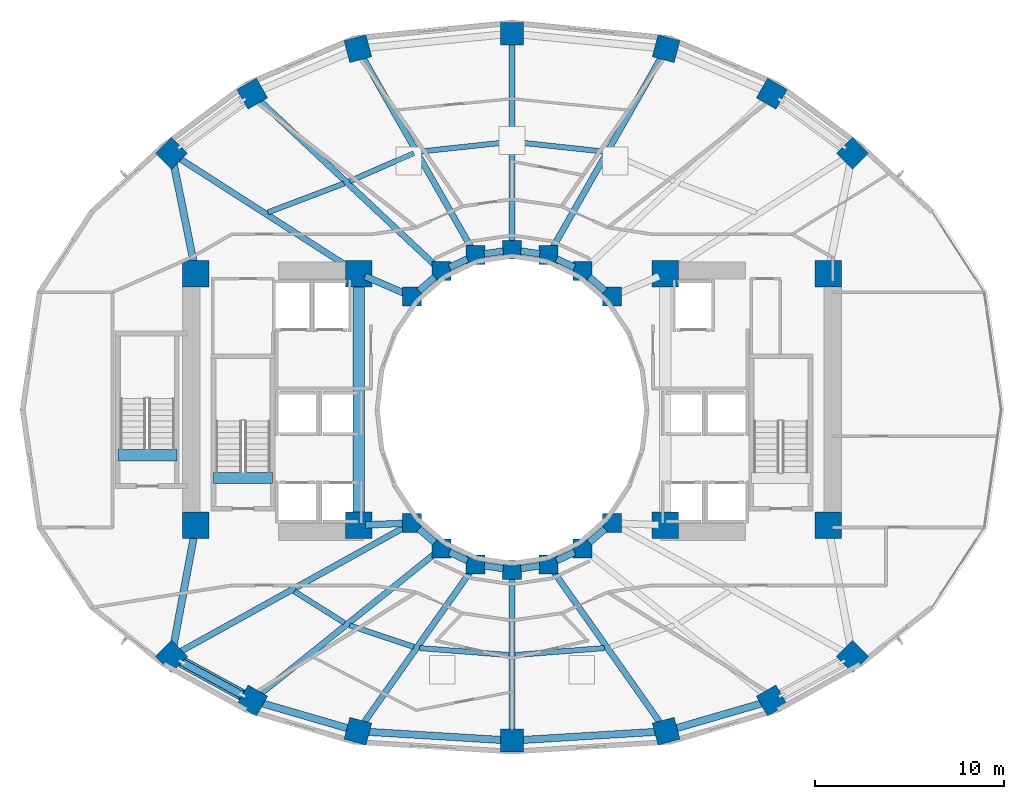
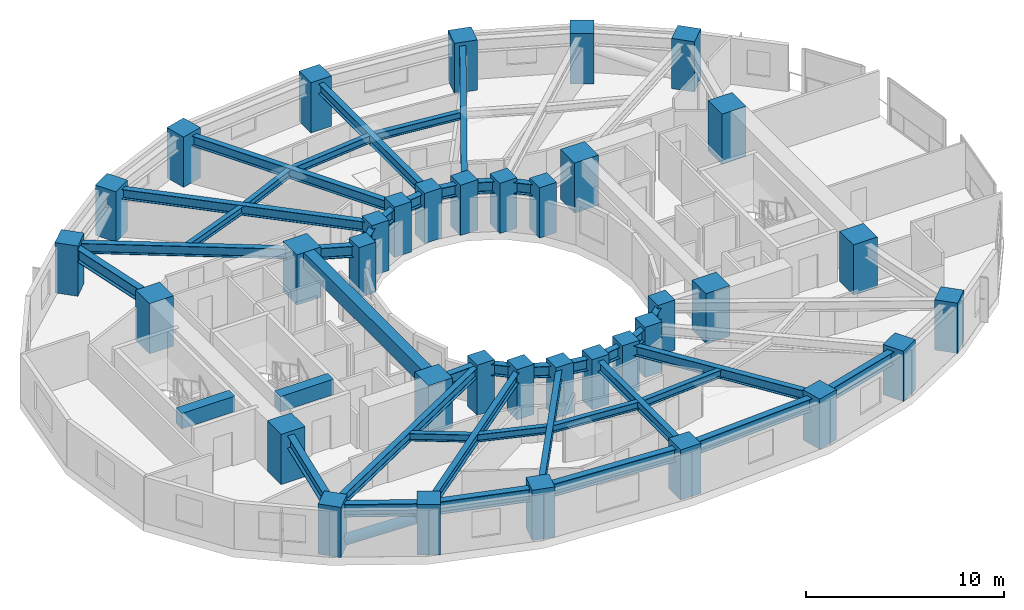
# One storey, part 1 of 14: 42 beams, 36 columns, 1 member.
"""IFC4 building model written with IfcOpenShell, lengths in metres."""

from ifc_helpers import new_model, si_unit, direction, frame, origin, origin_2d, place, context, subcontext, project, spatial, rectangle, hollow_circle, i_section, extrude, material, material_profile, profile_set, type_object, element, save


model = new_model("IFC4")

# Units and contexts
model_context = context("Model", 3, precision=1e-05, world=origin(), true_north=direction((0.0, 1.0)))
body_context = subcontext(model_context, "Body", "Model", "MODEL_VIEW")
ifc_project = project(units=[si_unit("LENGTHUNIT", "METRE"), si_unit("AREAUNIT", "SQUARE_METRE"), si_unit("VOLUMEUNIT", "CUBIC_METRE"), si_unit("PLANEANGLEUNIT", "RADIAN"), si_unit("MASSUNIT", "GRAM", prefix="KILO")], contexts=[model_context])

# Site, building, storey
site_placement = place(None, origin())
site = spatial("IfcSite", under=ifc_project, at=site_placement, CompositionType="ELEMENT")
building_placement = place(site_placement, origin())
building = spatial("IfcBuilding", under=site, at=building_placement, Name="Solvane Sanctuary Tower", CompositionType="ELEMENT")
storey_placement = place(building_placement, frame((0.0, 0.0, 36.89990234375)))
storey = spatial("IfcBuildingStorey", under=building, at=storey_placement, Name="L10", CompositionType="ELEMENT", Elevation=36.89990234375)

# Columns
ifc_material_1 = material(Name="Concrete C70/85", Category="concrete")
ifc_material_profile_1 = material_profile(ifc_material_1, rectangle(XDim=1.39990234375, YDim=1.39990234375, at=origin_2d()), Name="RC1400X1400")
ifc_profile_set_1 = profile_set([ifc_material_profile_1], Name="Concrete C70/85")
column_type_1 = type_object("IfcColumnType", Name="Column C-POD-INT RC1400X1400", PredefinedType="COLUMN", material=ifc_profile_set_1)
for number, where, z_axis, x_axis, name in (
    (1, (15.300048828125, 16.89990234375, 0.0), (0.0, 0.0, 1.0), (1.0, 0.0, 0.0), "L10 Core Corner Column CW1"),
    (2, (23.89990234375, 16.89990234375, 0.0), (0.0, 0.0, 1.0), (1.0, 0.0, 0.0), "L10 Core Corner Column CW2"),
    (3, (23.89990234375, 30.199951171875, 0.0), (0.0, 0.0, 1.0), (1.0, 0.0, 0.0), "L10 Core Corner Column CW3"),
    (4, (15.300048828125, 30.199951171875, 0.0), (0.0, 0.0, 1.0), (1.0, 0.0, 0.0), "L10 Core Corner Column CW4"),
    (5, (40.10009765625, 16.89990234375, 0.0), (0.0, 0.0, 1.0), (1.0, 0.0, 0.0), "L10 Core Corner Column CE1"),
    (6, (48.699951171875, 16.89990234375, 0.0), (0.0, 0.0, 1.0), (1.0, 0.0, 0.0), "L10 Core Corner Column CE2"),
    (7, (48.699951171875, 30.199951171875, 0.0), (0.0, 0.0, 1.0), (1.0, 0.0, 0.0), "L10 Core Corner Column CE3"),
    (8, (40.10009765625, 30.199951171875, 0.0), (0.0, 0.0, 1.0), (1.0, 0.0, 0.0), "L10 Core Corner Column CE4"),
):
    element("IfcColumn", number, at=place(storey_placement, frame(where, z_axis=z_axis, x_axis=x_axis)), inside=storey, type_object=column_type_1, Name=name, PredefinedType="COLUMN", context=body_context, shape_type="SweptSolid", body=[
        extrude(rectangle(XDim=1.39990234375, YDim=1.39990234375, at=origin_2d()), origin(), (0.0, 0.0, 1.0), 3.10009765625),
    ])
ifc_material_profile_2 = material_profile(ifc_material_1, rectangle(XDim=1.0, YDim=1.0, at=origin_2d()), Name="RC1000X1000")
ifc_profile_set_2 = profile_set([ifc_material_profile_2], Name="Concrete C70/85")
column_type_2 = type_object("IfcColumnType", Name="Column C-RING-Z1 RC1000X1000", PredefinedType="COLUMN", material=ifc_profile_set_2)
for number, where, z_axis, x_axis, name in (
    (9, (37.27490234375, 28.982177734375, 0.0), (0.0, 0.0, 1.0), (1.0, 0.0, 0.0), "L10 Inner Light-Well Ring Column IC01"),
    (10, (35.72998046875, 30.32666015625, 0.0), (0.0, 0.0, 1.0), (1.0, 0.0, 0.0), "L10 Inner Light-Well Ring Column IC02"),
    (11, (33.930908203125, 31.171630859375, 0.0), (0.0, 0.0, 1.0), (1.0, 0.0, 0.0), "L10 Inner Light-Well Ring Column IC03"),
    (12, (32.0, 31.4599609375, 0.0), (0.0, 0.0, 1.0), (1.0, 0.0, 0.0), "L10 Inner Light-Well Ring Column IC04"),
    (13, (30.069091796875, 31.171630859375, 0.0), (0.0, 0.0, 1.0), (1.0, 0.0, 0.0), "L10 Inner Light-Well Ring Column IC05"),
    (14, (28.27001953125, 30.32666015625, 0.0), (0.0, 0.0, 1.0), (1.0, 0.0, 0.0), "L10 Inner Light-Well Ring Column IC06"),
    (15, (26.72509765625, 28.982177734375, 0.0), (0.0, 0.0, 1.0), (1.0, 0.0, 0.0), "L10 Inner Light-Well Ring Column IC07"),
    (16, (26.72509765625, 17.017822265625, 0.0), (0.0, 0.0, 1.0), (1.0, 0.0, 0.0), "L10 Inner Light-Well Ring Column IC08"),
    (17, (28.27001953125, 15.67333984375, 0.0), (0.0, 0.0, 1.0), (1.0, 0.0, 0.0), "L10 Inner Light-Well Ring Column IC09"),
    (18, (30.069091796875, 14.828369140625, 0.0), (0.0, 0.0, 1.0), (1.0, 0.0, 0.0), "L10 Inner Light-Well Ring Column IC10"),
    (19, (32.0, 14.5400390625, 0.0), (0.0, 0.0, 1.0), (1.0, 0.0, 0.0), "L10 Inner Light-Well Ring Column IC11"),
    (20, (33.930908203125, 14.828369140625, 0.0), (0.0, 0.0, 1.0), (1.0, 0.0, 0.0), "L10 Inner Light-Well Ring Column IC12"),
    (21, (35.72998046875, 15.67333984375, 0.0), (0.0, 0.0, 1.0), (1.0, 0.0, 0.0), "L10 Inner Light-Well Ring Column IC13"),
    (22, (37.27490234375, 17.017822265625, 0.0), (0.0, 0.0, 1.0), (1.0, 0.0, 0.0), "L10 Inner Light-Well Ring Column IC14"),
):
    element("IfcColumn", number, at=place(storey_placement, frame(where, z_axis=z_axis, x_axis=x_axis)), inside=storey, type_object=column_type_2, Name=name, PredefinedType="COLUMN", context=body_context, shape_type="SweptSolid", body=[
        extrude(rectangle(XDim=1.0, YDim=1.0, at=origin_2d()), origin(), (0.0, 0.0, 1.0), 3.10009765625),
    ])
ifc_material_profile_3 = material_profile(ifc_material_1, rectangle(XDim=1.199951171875, YDim=1.199951171875, at=origin_2d()), Name="RC1200X1200")
ifc_profile_set_3 = profile_set([ifc_material_profile_3], Name="Concrete C70/85")
column_type_3 = type_object("IfcColumnType", Name="Column C-TUBE-Z1 RC1200X1200", PredefinedType="COLUMN", material=ifc_profile_set_3)
for number, where, z_axis, x_axis, name in (
    (23, (49.99169921875, 36.5537109375, 0.0), (0.0, 0.0, 1.0), (0.707106781187, 0.707106781187, 0.0), "L10 Perimeter Tube Column TC01"),
    (24, (45.727294921875, 39.7041015625, 0.0), (0.0, 0.0, 1.0), (0.5, 0.866025403784, 0.0), "L10 Perimeter Tube Column TC02"),
    (25, (40.14501953125, 42.083740234375, 0.0), (0.0, 0.0, 1.0), (0.258819045103, 0.965925826289, 0.0), "L10 Perimeter Tube Column TC03"),
    (26, (32.0, 42.8798828125, 0.0), (0.0, 0.0, 1.0), (0.0, 1.0, 0.0), "L10 Perimeter Tube Column TC04"),
    (27, (23.85498046875, 42.083740234375, 0.0), (0.0, 0.0, 1.0), (-0.258819045103, 0.965925826289, 0.0), "L10 Perimeter Tube Column TC05"),
    (28, (18.272705078125, 39.7041015625, 0.0), (0.0, 0.0, 1.0), (-0.5, 0.866025403784, 0.0), "L10 Perimeter Tube Column TC06"),
    (29, (14.00830078125, 36.5537109375, 0.0), (0.0, 0.0, 1.0), (-0.707106781187, 0.707106781187, 0.0), "L10 Perimeter Tube Column TC07"),
    (30, (14.00830078125, 9.964599609375, 0.0), (0.0, 0.0, 1.0), (-0.707106781187, -0.707106781187, 0.0), "L10 Perimeter Tube Column TC08"),
    (31, (18.272705078125, 7.640625, 0.0), (0.0, 0.0, 1.0), (-0.5, -0.866025403784, 0.0), "L10 Perimeter Tube Column TC09"),
    (32, (23.85498046875, 6.014404296875, 0.0), (0.0, 0.0, 1.0), (-0.258819045103, -0.965925826289, 0.0), "L10 Perimeter Tube Column TC10"),
    (33, (32.0, 5.52001953125, 0.0), (0.0, 0.0, 1.0), (0.0, -1.0, 0.0), "L10 Perimeter Tube Column TC11"),
    (34, (40.14501953125, 6.014404296875, 0.0), (0.0, 0.0, 1.0), (0.258819045103, -0.965925826289, 0.0), "L10 Perimeter Tube Column TC12"),
    (35, (45.727294921875, 7.640625, 0.0), (0.0, 0.0, 1.0), (0.5, -0.866025403784, 0.0), "L10 Perimeter Tube Column TC13"),
    (36, (49.99169921875, 9.964599609375, 0.0), (0.0, 0.0, 1.0), (0.707106781187, -0.707106781187, 0.0), "L10 Perimeter Tube Column TC14"),
):
    element("IfcColumn", number, at=place(storey_placement, frame(where, z_axis=z_axis, x_axis=x_axis)), inside=storey, type_object=column_type_3, Name=name, PredefinedType="COLUMN", context=body_context, shape_type="SweptSolid", body=[
        extrude(rectangle(XDim=1.199951171875, YDim=1.199951171875, at=origin_2d()), origin(), (0.0, 0.0, 1.0), 3.10009765625),
    ])

# Beams
ifc_material_profile_4 = material_profile(ifc_material_1, rectangle(XDim=0.60009765625, YDim=0.949951171875, at=origin_2d()), Name="RC600X950")
ifc_profile_set_4 = profile_set([ifc_material_profile_4], Name="Concrete C70/85")
beam_type_1 = type_object("IfcBeamType", Name="Beam B-COUPLE RC600X950", PredefinedType="LINTEL", material=ifc_profile_set_4)
beam_1_placement = place(storey_placement, frame((23.89990234375, 17.35009765625, 2.625), z_axis=(0.0, 1.0, 0.0), x_axis=(-1.0, 0.0, 0.0)))
element("IfcBeam", 37, at=beam_1_placement, inside=storey, type_object=beam_type_1, Name="L10 West Core Coupling Lintel", PredefinedType="LINTEL", context=body_context, shape_type="SweptSolid", body=[
    extrude(rectangle(XDim=0.60009765625, YDim=0.949951171875, at=origin_2d()), origin(), (0.0, 0.0, 1.0), 12.39990234375),
])
for number, where, z_axis, x_axis, name in (
    (38, (16.22998046875, 19.399169921875, 2.625), (1.0, 0.0, 0.0), (0.0, 1.0, 0.0), "L10 ST-1 Stair Floor Landing Trimmer"),
    (39, (11.169921875, 20.59912109375, 2.625), (1.0, 0.0, 0.0), (0.0, 1.0, 0.0), "L10 ST-3 Stair Floor Landing Trimmer"),
):
    element("IfcBeam", number, at=place(storey_placement, frame(where, z_axis=z_axis, x_axis=x_axis)), inside=storey, type_object=beam_type_1, Name=name, PredefinedType="LINTEL", context=body_context, shape_type="SweptSolid", body=[
        extrude(rectangle(XDim=0.60009765625, YDim=0.949951171875, at=origin_2d()), origin(), (0.0, 0.0, 1.0), 3.1201171875),
    ])
ifc_material_2 = material(Name="Steel ASTM A992 Grade 50", Category="steel")
ifc_material_profile_5 = material_profile(ifc_material_2, i_section(OverallWidth=0.323974609375, OverallDepth=0.611083984375, WebThickness=0.0126953125, FlangeThickness=0.01904296875, FilletRadius=0.01611328125, at=origin_2d()), Name="W24X104")
ifc_profile_set_5 = profile_set([ifc_material_profile_5], Name="Steel ASTM A992 Grade 50")
beam_type_2 = type_object("IfcBeamType", Name="Beam B-RAD-Z1 W24X104", PredefinedType="BEAM", material=ifc_profile_set_5)
beam_2_placement = place(storey_placement, frame((34.0693359375, 31.4150390625, 2.572509765625), z_axis=(0.494862949167, 0.868971036078, 0.0), x_axis=(-0.868971036078, 0.494862949167, 0.0)))
element("IfcBeam", 40, at=beam_2_placement, inside=storey, type_object=beam_type_2, Name="L10 Radial Composite Floor Beam 03", PredefinedType="BEAM", context=body_context, shape_type="SweptSolid", body=[
    extrude(i_section(OverallWidth=0.323974609375, OverallDepth=0.611083984375, WebThickness=0.0126953125, FlangeThickness=0.01904296875, FilletRadius=0.01611328125, at=origin_2d()), origin(), (0.0, 0.0, 1.0), 11.997314453125),
])
beam_3_placement = place(storey_placement, frame((32.0, 31.739990234375, 2.572509765625), z_axis=(0.0, 1.0, 0.0), x_axis=(-1.0, 0.0, 0.0)))
element("IfcBeam", 41, at=beam_3_placement, inside=storey, type_object=beam_type_2, Name="L10 Radial Composite Floor Beam 04", PredefinedType="BEAM", context=body_context, shape_type="SweptSolid", body=[
    extrude(i_section(OverallWidth=0.323974609375, OverallDepth=0.611083984375, WebThickness=0.0126953125, FlangeThickness=0.01904296875, FilletRadius=0.01611328125, at=origin_2d()), origin(), (0.0, 0.0, 1.0), 10.860107421875),
])
beam_4_placement = place(storey_placement, frame((29.9306640625, 31.4150390625, 2.572509765625), z_axis=(-0.494862949167, 0.868971036078, 0.0), x_axis=(-0.868971036078, -0.494862949167, 0.0)))
element("IfcBeam", 42, at=beam_4_placement, inside=storey, type_object=beam_type_2, Name="L10 Radial Composite Floor Beam 05", PredefinedType="BEAM", context=body_context, shape_type="SweptSolid", body=[
    extrude(i_section(OverallWidth=0.323974609375, OverallDepth=0.611083984375, WebThickness=0.0126953125, FlangeThickness=0.01904296875, FilletRadius=0.01611328125, at=origin_2d()), origin(), (0.0, 0.0, 1.0), 11.997314453125),
])
beam_5_placement = place(storey_placement, frame((28.06591796875, 30.518310546875, 2.572509765625), z_axis=(-0.729363446859, 0.68412642281, 0.0), x_axis=(-0.68412642281, -0.729363446859, 0.0)))
element("IfcBeam", 43, at=beam_5_placement, inside=storey, type_object=beam_type_2, Name="L10 Radial Composite Floor Beam 06", PredefinedType="BEAM", context=body_context, shape_type="SweptSolid", body=[
    extrude(i_section(OverallWidth=0.323974609375, OverallDepth=0.611083984375, WebThickness=0.0126953125, FlangeThickness=0.01904296875, FilletRadius=0.01611328125, at=origin_2d()), origin(), (0.0, 0.0, 1.0), 13.14697265625),
])
beam_6_placement = place(storey_placement, frame((23.59716796875, 30.39453125, 2.572509765625), z_axis=(-0.841383207998, 0.540438985733, 0.0), x_axis=(-0.540438985733, -0.841383207998, 0.0)))
element("IfcBeam", 44, at=beam_6_placement, inside=storey, type_object=beam_type_2, Name="L10 Radial Composite Floor Beam 07", PredefinedType="BEAM", context=body_context, shape_type="SweptSolid", body=[
    extrude(i_section(OverallWidth=0.323974609375, OverallDepth=0.611083984375, WebThickness=0.0126953125, FlangeThickness=0.01904296875, FilletRadius=0.01611328125, at=origin_2d()), origin(), (0.0, 0.0, 1.0), 11.116455078125),
])
beam_7_placement = place(storey_placement, frame((26.47998046875, 16.882080078125, 2.572509765625), z_axis=(-0.87449641157, -0.485031984668, 0.0), x_axis=(0.485031984668, -0.87449641157, 0.0)))
element("IfcBeam", 45, at=beam_7_placement, inside=storey, type_object=beam_type_2, Name="L10 Radial Composite Floor Beam 08", PredefinedType="BEAM", context=body_context, shape_type="SweptSolid", body=[
    extrude(i_section(OverallWidth=0.323974609375, OverallDepth=0.611083984375, WebThickness=0.0126953125, FlangeThickness=0.01904296875, FilletRadius=0.01611328125, at=origin_2d()), origin(), (0.0, 0.0, 1.0), 13.9814453125),
])
beam_8_placement = place(storey_placement, frame((28.0517578125, 15.498046875, 2.572509765625), z_axis=(-0.779526985436, -0.626368644631, 0.0), x_axis=(0.626368644631, -0.779526985436, 0.0)))
element("IfcBeam", 46, at=beam_8_placement, inside=storey, type_object=beam_type_2, Name="L10 Radial Composite Floor Beam 09", PredefinedType="BEAM", context=body_context, shape_type="SweptSolid", body=[
    extrude(i_section(OverallWidth=0.323974609375, OverallDepth=0.611083984375, WebThickness=0.0126953125, FlangeThickness=0.01904296875, FilletRadius=0.01611328125, at=origin_2d()), origin(), (0.0, 0.0, 1.0), 12.2646484375),
])
beam_9_placement = place(storey_placement, frame((29.907958984375, 14.599609375, 2.572509765625), z_axis=(-0.576233115666, -0.817285382476, 0.0), x_axis=(0.817285382476, -0.576233115666, 0.0)))
element("IfcBeam", 47, at=beam_9_placement, inside=storey, type_object=beam_type_2, Name="L10 Radial Composite Floor Beam 10", PredefinedType="BEAM", context=body_context, shape_type="SweptSolid", body=[
    extrude(i_section(OverallWidth=0.323974609375, OverallDepth=0.611083984375, WebThickness=0.0126953125, FlangeThickness=0.01904296875, FilletRadius=0.01611328125, at=origin_2d()), origin(), (0.0, 0.0, 1.0), 10.224365234375),
])
beam_10_placement = place(storey_placement, frame((32.0, 14.260009765625, 2.572509765625), z_axis=(0.0, -1.0, 0.0), x_axis=(1.0, 0.0, 0.0)))
element("IfcBeam", 48, at=beam_10_placement, inside=storey, type_object=beam_type_2, Name="L10 Radial Composite Floor Beam 11", PredefinedType="BEAM", context=body_context, shape_type="SweptSolid", body=[
    extrude(i_section(OverallWidth=0.323974609375, OverallDepth=0.611083984375, WebThickness=0.0126953125, FlangeThickness=0.01904296875, FilletRadius=0.01611328125, at=origin_2d()), origin(), (0.0, 0.0, 1.0), 8.4599609375),
])
beam_11_placement = place(storey_placement, frame((34.092041015625, 14.599609375, 2.572509765625), z_axis=(0.576233115666, -0.817285382476, 0.0), x_axis=(0.817285382476, 0.576233115666, 0.0)))
element("IfcBeam", 49, at=beam_11_placement, inside=storey, type_object=beam_type_2, Name="L10 Radial Composite Floor Beam 12", PredefinedType="BEAM", context=body_context, shape_type="SweptSolid", body=[
    extrude(i_section(OverallWidth=0.323974609375, OverallDepth=0.611083984375, WebThickness=0.0126953125, FlangeThickness=0.01904296875, FilletRadius=0.01611328125, at=origin_2d()), origin(), (0.0, 0.0, 1.0), 10.224365234375),
])
ifc_material_profile_6 = material_profile(ifc_material_2, i_section(OverallWidth=0.35498046875, OverallDepth=0.695068359375, WebThickness=0.015380859375, FlangeThickness=0.02490234375, FilletRadius=0.01806640625, at=origin_2d()), Name="W27X146")
ifc_profile_set_6 = profile_set([ifc_material_profile_6], Name="Steel ASTM A992 Grade 50")
beam_type_3 = type_object("IfcBeamType", Name="Beam B-RING-IN1 W27X146", PredefinedType="BEAM", material=ifc_profile_set_6)
beam_12_placement = place(storey_placement, frame((24.230712890625, 30.0576171875, 2.530517578125), z_axis=(0.918277080365, -0.395938383687, 0.0), x_axis=(0.395938383687, 0.918277080365, 0.0)))
element("IfcBeam", 50, at=beam_12_placement, inside=storey, type_object=beam_type_3, Name="L10 Inner Light-Well Ring Beam CW3-IC07", PredefinedType="BEAM", context=body_context, shape_type="SweptSolid", body=[
    extrude(i_section(OverallWidth=0.35498046875, OverallDepth=0.695068359375, WebThickness=0.015380859375, FlangeThickness=0.02490234375, FilletRadius=0.01806640625, at=origin_2d()), origin(), (0.0, 0.0, 1.0), 2.246337890625),
])
beam_13_placement = place(storey_placement, frame((27.07958984375, 29.29052734375, 2.530517578125), z_axis=(0.754320881993, 0.65650590781, 0.0), x_axis=(-0.65650590781, 0.754320881993, 0.0)))
element("IfcBeam", 51, at=beam_13_placement, inside=storey, type_object=beam_type_3, Name="L10 Inner Light-Well Ring Beam IC07-IC06", PredefinedType="BEAM", context=body_context, shape_type="SweptSolid", body=[
    extrude(i_section(OverallWidth=0.35498046875, OverallDepth=0.695068359375, WebThickness=0.015380859375, FlangeThickness=0.02490234375, FilletRadius=0.01806640625, at=origin_2d()), origin(), (0.0, 0.0, 1.0), 1.108154296875),
])
beam_14_placement = place(storey_placement, frame((28.6953125, 30.5263671875, 2.530517578125), z_axis=(0.905108885866, 0.42517984986, 0.0), x_axis=(-0.42517984986, 0.905108885866, 0.0)))
element("IfcBeam", 52, at=beam_14_placement, inside=storey, type_object=beam_type_3, Name="L10 Inner Light-Well Ring Beam IC06-IC05", PredefinedType="BEAM", context=body_context, shape_type="SweptSolid", body=[
    extrude(i_section(OverallWidth=0.35498046875, OverallDepth=0.695068359375, WebThickness=0.015380859375, FlangeThickness=0.02490234375, FilletRadius=0.01806640625, at=origin_2d()), origin(), (0.0, 0.0, 1.0), 1.0478515625),
])
for number, where, z_axis, x_axis, name in (
    (53, (30.533935546875, 31.2412109375, 2.530517578125), (0.989047520133, 0.147597435338, 0.0), (-0.147597435338, 0.989047520133, 0.0), "L10 Inner Light-Well Ring Beam IC05-IC04"),
    (54, (32.46484375, 31.390625, 2.530517578125), (0.989047520133, -0.147597435338, 0.0), (0.147597435338, 0.989047520133, 0.0), "L10 Inner Light-Well Ring Beam IC04-IC03"),
):
    element("IfcBeam", number, at=place(storey_placement, frame(where, z_axis=z_axis, x_axis=x_axis)), inside=storey, type_object=beam_type_3, Name=name, PredefinedType="BEAM", context=body_context, shape_type="SweptSolid", body=[
        extrude(i_section(OverallWidth=0.35498046875, OverallDepth=0.695068359375, WebThickness=0.015380859375, FlangeThickness=0.02490234375, FilletRadius=0.01806640625, at=origin_2d()), origin(), (0.0, 0.0, 1.0), 1.01220703125),
    ])
beam_15_placement = place(storey_placement, frame((34.356201171875, 30.971923828125, 2.530517578125), z_axis=(0.905108885866, -0.42517984986, 0.0), x_axis=(0.42517984986, 0.905108885866, 0.0)))
element("IfcBeam", 55, at=beam_15_placement, inside=storey, type_object=beam_type_3, Name="L10 Inner Light-Well Ring Beam IC03-IC02", PredefinedType="BEAM", context=body_context, shape_type="SweptSolid", body=[
    extrude(i_section(OverallWidth=0.35498046875, OverallDepth=0.695068359375, WebThickness=0.015380859375, FlangeThickness=0.02490234375, FilletRadius=0.01806640625, at=origin_2d()), origin(), (0.0, 0.0, 1.0), 1.0478515625),
])
beam_16_placement = place(storey_placement, frame((36.08447265625, 30.01806640625, 2.530517578125), z_axis=(0.754320881993, -0.65650590781, 0.0), x_axis=(0.65650590781, 0.754320881993, 0.0)))
element("IfcBeam", 56, at=beam_16_placement, inside=storey, type_object=beam_type_3, Name="L10 Inner Light-Well Ring Beam IC02-IC01", PredefinedType="BEAM", context=body_context, shape_type="SweptSolid", body=[
    extrude(i_section(OverallWidth=0.35498046875, OverallDepth=0.695068359375, WebThickness=0.015380859375, FlangeThickness=0.02490234375, FilletRadius=0.01806640625, at=origin_2d()), origin(), (0.0, 0.0, 1.0), 1.108154296875),
])
beam_17_placement = place(storey_placement, frame((24.259765625, 16.9150390625, 2.530517578125), z_axis=(0.999130953379, 0.041681386726, 0.0), x_axis=(-0.041681386726, 0.999130953379, 0.0)))
element("IfcBeam", 57, at=beam_17_placement, inside=storey, type_object=beam_type_3, Name="L10 Inner Light-Well Ring Beam CW2-IC08", PredefinedType="BEAM", context=body_context, shape_type="SweptSolid", body=[
    extrude(i_section(OverallWidth=0.35498046875, OverallDepth=0.695068359375, WebThickness=0.015380859375, FlangeThickness=0.02490234375, FilletRadius=0.01806640625, at=origin_2d()), origin(), (0.0, 0.0, 1.0), 1.997314453125),
])
beam_18_placement = place(storey_placement, frame((27.07958984375, 16.70947265625, 2.530517578125), z_axis=(0.754320881993, -0.65650590781, 0.0), x_axis=(0.65650590781, 0.754320881993, 0.0)))
element("IfcBeam", 58, at=beam_18_placement, inside=storey, type_object=beam_type_3, Name="L10 Inner Light-Well Ring Beam IC08-IC09", PredefinedType="BEAM", context=body_context, shape_type="SweptSolid", body=[
    extrude(i_section(OverallWidth=0.35498046875, OverallDepth=0.695068359375, WebThickness=0.015380859375, FlangeThickness=0.02490234375, FilletRadius=0.01806640625, at=origin_2d()), origin(), (0.0, 0.0, 1.0), 1.108154296875),
])
beam_19_placement = place(storey_placement, frame((28.6953125, 15.4736328125, 2.530517578125), z_axis=(0.905108885866, -0.42517984986, 0.0), x_axis=(0.42517984986, 0.905108885866, 0.0)))
element("IfcBeam", 59, at=beam_19_placement, inside=storey, type_object=beam_type_3, Name="L10 Inner Light-Well Ring Beam IC09-IC10", PredefinedType="BEAM", context=body_context, shape_type="SweptSolid", body=[
    extrude(i_section(OverallWidth=0.35498046875, OverallDepth=0.695068359375, WebThickness=0.015380859375, FlangeThickness=0.02490234375, FilletRadius=0.01806640625, at=origin_2d()), origin(), (0.0, 0.0, 1.0), 1.0478515625),
])
for number, where, z_axis, x_axis, name in (
    (60, (30.533935546875, 14.7587890625, 2.530517578125), (0.989047520133, -0.147597435338, 0.0), (0.147597435338, 0.989047520133, 0.0), "L10 Inner Light-Well Ring Beam IC10-IC11"),
    (61, (32.46484375, 14.609375, 2.530517578125), (0.989047520133, 0.147597435338, 0.0), (-0.147597435338, 0.989047520133, 0.0), "L10 Inner Light-Well Ring Beam IC11-IC12"),
):
    element("IfcBeam", number, at=place(storey_placement, frame(where, z_axis=z_axis, x_axis=x_axis)), inside=storey, type_object=beam_type_3, Name=name, PredefinedType="BEAM", context=body_context, shape_type="SweptSolid", body=[
        extrude(i_section(OverallWidth=0.35498046875, OverallDepth=0.695068359375, WebThickness=0.015380859375, FlangeThickness=0.02490234375, FilletRadius=0.01806640625, at=origin_2d()), origin(), (0.0, 0.0, 1.0), 1.01220703125),
    ])
beam_20_placement = place(storey_placement, frame((34.356201171875, 15.028076171875, 2.530517578125), z_axis=(0.905108885866, 0.42517984986, 0.0), x_axis=(-0.42517984986, 0.905108885866, 0.0)))
element("IfcBeam", 62, at=beam_20_placement, inside=storey, type_object=beam_type_3, Name="L10 Inner Light-Well Ring Beam IC12-IC13", PredefinedType="BEAM", context=body_context, shape_type="SweptSolid", body=[
    extrude(i_section(OverallWidth=0.35498046875, OverallDepth=0.695068359375, WebThickness=0.015380859375, FlangeThickness=0.02490234375, FilletRadius=0.01806640625, at=origin_2d()), origin(), (0.0, 0.0, 1.0), 1.0478515625),
])
beam_21_placement = place(storey_placement, frame((36.08447265625, 15.98193359375, 2.530517578125), z_axis=(0.754320881993, 0.65650590781, 0.0), x_axis=(-0.65650590781, 0.754320881993, 0.0)))
element("IfcBeam", 63, at=beam_21_placement, inside=storey, type_object=beam_type_3, Name="L10 Inner Light-Well Ring Beam IC13-IC14", PredefinedType="BEAM", context=body_context, shape_type="SweptSolid", body=[
    extrude(i_section(OverallWidth=0.35498046875, OverallDepth=0.695068359375, WebThickness=0.015380859375, FlangeThickness=0.02490234375, FilletRadius=0.01806640625, at=origin_2d()), origin(), (0.0, 0.0, 1.0), 1.108154296875),
])
ifc_material_profile_7 = material_profile(ifc_material_2, i_section(OverallWidth=0.280029296875, OverallDepth=0.462890625, WebThickness=0.0107421875, FlangeThickness=0.017333984375, FilletRadius=0.013916015625, at=origin_2d()), Name="W18X76")
ifc_profile_set_7 = profile_set([ifc_material_profile_7], Name="Steel ASTM A992 Grade 50")
beam_type_4 = type_object("IfcBeamType", Name="Beam B-SEC-JOIST W18X76", PredefinedType="JOIST", material=ifc_profile_set_7)
beam_22_placement = place(storey_placement, frame((19.100830078125, 33.4326171875, 2.646484375), z_axis=(0.934930049376, 0.354832076867, 0.0), x_axis=(-0.354832076867, 0.934930049376, 0.0)))
element("IfcBeam", 64, at=beam_22_placement, inside=storey, type_object=beam_type_4, Name="L10 Secondary Circumferential Joist 07-06", PredefinedType="JOIST", context=body_context, shape_type="SweptSolid", body=[
    extrude(i_section(OverallWidth=0.280029296875, OverallDepth=0.462890625, WebThickness=0.0107421875, FlangeThickness=0.017333984375, FilletRadius=0.013916015625, at=origin_2d()), origin(), (0.0, 0.0, 1.0), 4.3037109375),
])
beam_23_placement = place(storey_placement, frame((23.415283203125, 35.078125, 2.646484375), z_axis=(0.916382007922, 0.400304903238, 0.0), x_axis=(-0.400304903238, 0.916382007922, 0.0)))
element("IfcBeam", 65, at=beam_23_placement, inside=storey, type_object=beam_type_4, Name="L10 Secondary Circumferential Joist 06-05", PredefinedType="JOIST", context=body_context, shape_type="SweptSolid", body=[
    extrude(i_section(OverallWidth=0.280029296875, OverallDepth=0.462890625, WebThickness=0.0107421875, FlangeThickness=0.017333984375, FilletRadius=0.013916015625, at=origin_2d()), origin(), (0.0, 0.0, 1.0), 3.713623046875),
])
for number, where, z_axis, x_axis, name in (
    (66, (27.118408203125, 36.64453125, 2.646484375), (0.994253832067, 0.107048201386, 0.0), (-0.107048201386, 0.994253832067, 0.0), "L10 Secondary Circumferential Joist 05-04"),
    (67, (32.156005859375, 37.1533203125, 2.646484375), (0.994253832067, -0.107048201386, 0.0), (0.107048201386, 0.994253832067, 0.0), "L10 Secondary Circumferential Joist 04-03"),
):
    element("IfcBeam", number, at=place(storey_placement, frame(where, z_axis=z_axis, x_axis=x_axis)), inside=storey, type_object=beam_type_4, Name=name, PredefinedType="JOIST", context=body_context, shape_type="SweptSolid", body=[
        extrude(i_section(OverallWidth=0.280029296875, OverallDepth=0.462890625, WebThickness=0.0107421875, FlangeThickness=0.017333984375, FilletRadius=0.013916015625, at=origin_2d()), origin(), (0.0, 0.0, 1.0), 4.7529296875),
    ])
beam_24_placement = place(storey_placement, frame((20.499267578125, 13.407470703125, 2.646484375), z_axis=(0.845524211665, -0.533937081957, 0.0), x_axis=(0.533937081957, 0.845524211665, 0.0)))
element("IfcBeam", 68, at=beam_24_placement, inside=storey, type_object=beam_type_4, Name="L10 Secondary Circumferential Joist 08-09", PredefinedType="JOIST", context=body_context, shape_type="SweptSolid", body=[
    extrude(i_section(OverallWidth=0.280029296875, OverallDepth=0.462890625, WebThickness=0.0107421875, FlangeThickness=0.017333984375, FilletRadius=0.013916015625, at=origin_2d()), origin(), (0.0, 0.0, 1.0), 3.12158203125),
])
beam_25_placement = place(storey_placement, frame((23.42041015625, 11.607177734375, 2.646484375), z_axis=(0.948259393162, -0.317496650816, 0.0), x_axis=(0.317496650816, 0.948259393162, 0.0)))
element("IfcBeam", 69, at=beam_25_placement, inside=storey, type_object=beam_type_4, Name="L10 Secondary Circumferential Joist 09-10", PredefinedType="JOIST", context=body_context, shape_type="SweptSolid", body=[
    extrude(i_section(OverallWidth=0.280029296875, OverallDepth=0.462890625, WebThickness=0.0107421875, FlangeThickness=0.017333984375, FilletRadius=0.013916015625, at=origin_2d()), origin(), (0.0, 0.0, 1.0), 3.577880859375),
])
for number, where, z_axis, x_axis, name in (
    (70, (27.11865234375, 10.4091796875, 2.646484375), (0.996997851194, -0.077429223911, 0.0), (0.077429223911, 0.996997851194, 0.0), "L10 Secondary Circumferential Joist 10-11"),
    (71, (32.156494140625, 10.042236328125, 2.646484375), (0.996997851194, 0.077429223911, 0.0), (-0.077429223911, 0.996997851194, 0.0), "L10 Secondary Circumferential Joist 11-12"),
):
    element("IfcBeam", number, at=place(storey_placement, frame(where, z_axis=z_axis, x_axis=x_axis)), inside=storey, type_object=beam_type_4, Name=name, PredefinedType="JOIST", context=body_context, shape_type="SweptSolid", body=[
        extrude(i_section(OverallWidth=0.280029296875, OverallDepth=0.462890625, WebThickness=0.0107421875, FlangeThickness=0.017333984375, FilletRadius=0.013916015625, at=origin_2d()), origin(), (0.0, 0.0, 1.0), 4.739013671875),
    ])
ifc_material_profile_8 = material_profile(ifc_material_2, i_section(OverallWidth=0.382080078125, OverallDepth=0.779052734375, WebThickness=0.01806640625, FlangeThickness=0.030029296875, FilletRadius=0.02001953125, at=origin_2d()), Name="W30X191")
ifc_profile_set_8 = profile_set([ifc_material_profile_8], Name="Steel ASTM A992 Grade 50")
beam_type_5 = type_object("IfcBeamType", Name="Beam B-SPAND-Z1 W30X191", PredefinedType="SPANDREL", material=ifc_profile_set_8)
beam_26_placement = place(storey_placement, frame((15.244140625, 30.474365234375, 2.488525390625), z_axis=(-0.199190417877, 0.979960804025, 0.0), x_axis=(-0.979960804025, -0.199190417877, 0.0)))
element("IfcBeam", 72, at=beam_26_placement, inside=storey, type_object=beam_type_5, Name="L10 Perimeter Spandrel Beam CW4-TC07", PredefinedType="SPANDREL", context=body_context, shape_type="SweptSolid", body=[
    extrude(i_section(OverallWidth=0.382080078125, OverallDepth=0.779052734375, WebThickness=0.01806640625, FlangeThickness=0.030029296875, FilletRadius=0.02001953125, at=origin_2d()), origin(), (0.0, 0.0, 1.0), 5.923583984375),
])
beam_27_placement = place(storey_placement, frame((15.248779296875, 16.624755859375, 2.488525390625), z_axis=(-0.183108171104, -0.983092771652, 0.0), x_axis=(0.983092771652, -0.183108171104, 0.0)))
element("IfcBeam", 73, at=beam_27_placement, inside=storey, type_object=beam_type_5, Name="L10 Perimeter Spandrel Beam CW1-TC08", PredefinedType="SPANDREL", context=body_context, shape_type="SweptSolid", body=[
    extrude(i_section(OverallWidth=0.382080078125, OverallDepth=0.779052734375, WebThickness=0.01806640625, FlangeThickness=0.030029296875, FilletRadius=0.02001953125, at=origin_2d()), origin(), (0.0, 0.0, 1.0), 6.49462890625),
])
beam_28_placement = place(storey_placement, frame((14.254150390625, 9.830810546875, 2.488525390625), z_axis=(0.878060556078, -0.478549537519, 0.0), x_axis=(0.478549537519, 0.878060556078, 0.0)))
element("IfcBeam", 74, at=beam_28_placement, inside=storey, type_object=beam_type_5, Name="L10 Perimeter Spandrel Beam TC08-TC09", PredefinedType="SPANDREL", context=body_context, shape_type="SweptSolid", body=[
    extrude(i_section(OverallWidth=0.382080078125, OverallDepth=0.779052734375, WebThickness=0.01806640625, FlangeThickness=0.030029296875, FilletRadius=0.02001953125, at=origin_2d()), origin(), (0.0, 0.0, 1.0), 4.296630859375),
])
beam_29_placement = place(storey_placement, frame((18.54150390625, 7.562255859375, 2.488525390625), z_axis=(0.960096217722, -0.279669899553, 0.0), x_axis=(0.279669899553, 0.960096217722, 0.0)))
element("IfcBeam", 75, at=beam_29_placement, inside=storey, type_object=beam_type_5, Name="L10 Perimeter Spandrel Beam TC09-TC10", PredefinedType="SPANDREL", context=body_context, shape_type="SweptSolid", body=[
    extrude(i_section(OverallWidth=0.382080078125, OverallDepth=0.779052734375, WebThickness=0.01806640625, FlangeThickness=0.030029296875, FilletRadius=0.02001953125, at=origin_2d()), origin(), (0.0, 0.0, 1.0), 5.25439453125),
])
for number, where, z_axis, x_axis, name in (
    (76, (24.134521484375, 5.99755859375, 2.488525390625), (0.998162966989, -0.060586230553, 0.0), (0.060586230553, 0.998162966989, 0.0), "L10 Perimeter Spandrel Beam TC10-TC11"),
    (77, (32.279541015625, 5.537109375, 2.488525390625), (0.998162966989, 0.060586230553, 0.0), (-0.060586230553, 0.998162966989, 0.0), "L10 Perimeter Spandrel Beam TC11-TC12"),
):
    element("IfcBeam", number, at=place(storey_placement, frame(where, z_axis=z_axis, x_axis=x_axis)), inside=storey, type_object=beam_type_5, Name=name, PredefinedType="SPANDREL", context=body_context, shape_type="SweptSolid", body=[
        extrude(i_section(OverallWidth=0.382080078125, OverallDepth=0.779052734375, WebThickness=0.01806640625, FlangeThickness=0.030029296875, FilletRadius=0.02001953125, at=origin_2d()), origin(), (0.0, 0.0, 1.0), 7.599853515625),
    ])
beam_30_placement = place(storey_placement, frame((40.413818359375, 6.0927734375, 2.488525390625), z_axis=(0.960096217722, 0.279669899553, 0.0), x_axis=(-0.279669899553, 0.960096217722, 0.0)))
element("IfcBeam", 78, at=beam_30_placement, inside=storey, type_object=beam_type_5, Name="L10 Perimeter Spandrel Beam TC12-TC13", PredefinedType="SPANDREL", context=body_context, shape_type="SweptSolid", body=[
    extrude(i_section(OverallWidth=0.382080078125, OverallDepth=0.779052734375, WebThickness=0.01806640625, FlangeThickness=0.030029296875, FilletRadius=0.02001953125, at=origin_2d()), origin(), (0.0, 0.0, 1.0), 5.25439453125),
])

# Member
ifc_material_profile_9 = material_profile(ifc_material_2, hollow_circle(Radius=0.304931640625, WallThickness=0.01611328125, at=origin_2d()), Name="CHS610X16")
ifc_profile_set_9 = profile_set([ifc_material_profile_9], Name="Steel ASTM A992 Grade 50")
member_type = type_object("IfcMemberType", Name="Member M-TUBE-Z1 CHS610X16", PredefinedType="BRACE", material=ifc_profile_set_9)
member_placement = place(storey_placement, frame((14.56591796875, 9.660888671875, 0.604736328125), z_axis=(0.827739985201, -0.451112238875, 0.333682880648), x_axis=(0.478539548862, 0.878065999897, 0.0)))
element("IfcMember", 79, at=member_placement, inside=storey, type_object=member_type, Name="L10 Perimeter Braced-Tube Diagonal SW", PredefinedType="BRACE", context=body_context, shape_type="SweptSolid", body=[
    extrude(hollow_circle(Radius=0.304931640625, WallThickness=0.01611328125, at=origin_2d()), origin(), (0.0, 0.0, 1.0), 3.831787109375),
])

save(model, "model.ifc")
